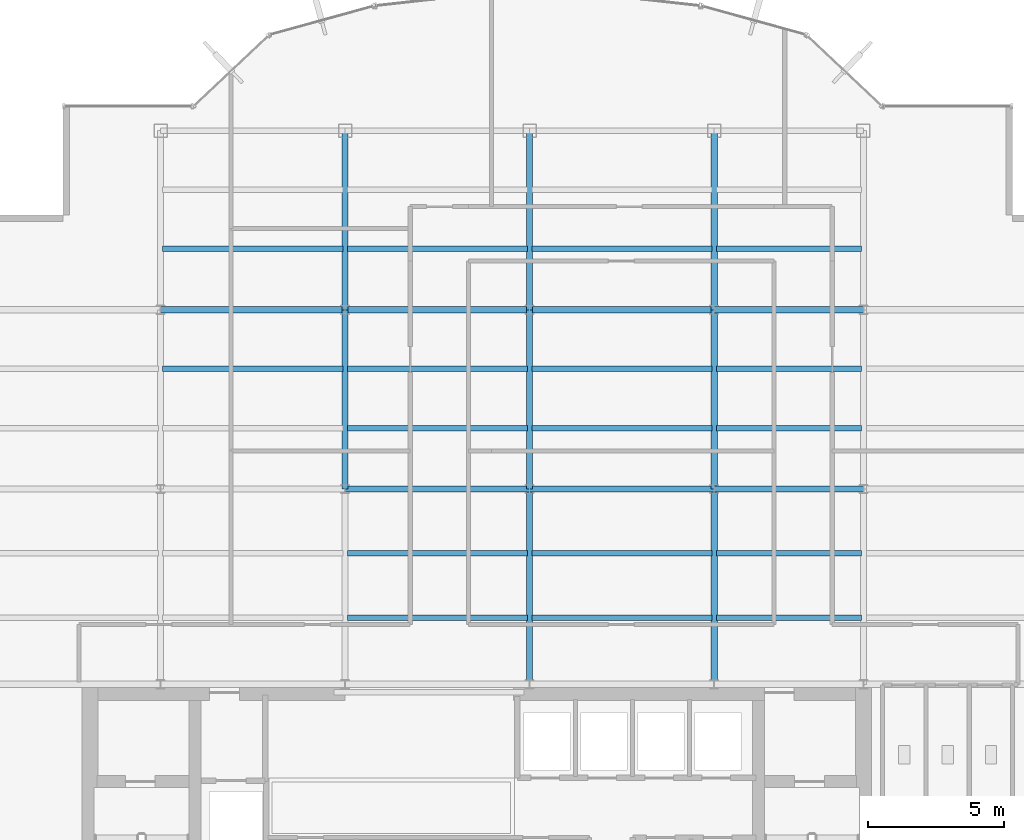
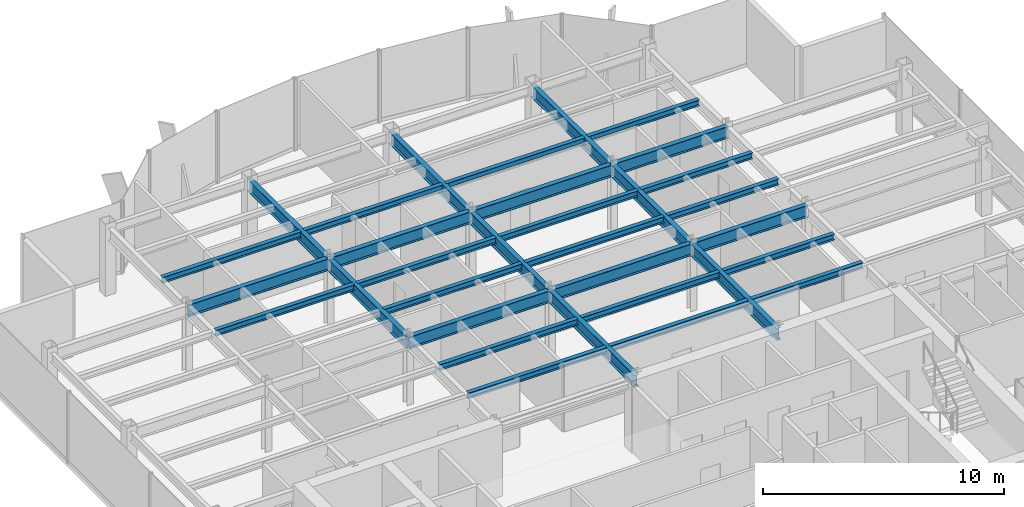
# One storey, part 8 of 22: 32 beams.
"""IFC4 building model written with IfcOpenShell, lengths in metres."""

from ifc_helpers import new_model, si_unit, derived_unit, direction, frame, origin, origin_2d, place, context, subcontext, project, spatial, i_section, extrude, source, transform, mapped, material, material_profile, profile_set, type_object, element, save


model = new_model("IFC4")

# Units and contexts
model_context = context("Model", 3, precision=1e-05, world=origin(), true_north=direction((0.0, 1.0)))
body_context = subcontext(model_context, "Body", "Model", "MODEL_VIEW")
ifc_project = project(units=[si_unit("LENGTHUNIT", "METRE"), si_unit("AREAUNIT", "SQUARE_METRE"), si_unit("VOLUMEUNIT", "CUBIC_METRE"), si_unit("PLANEANGLEUNIT", "RADIAN"), si_unit("MASSUNIT", "GRAM", prefix="KILO"), derived_unit("THERMALTRANSMITTANCEUNIT", [(si_unit("POWERUNIT", "WATT"), 1), (si_unit("LENGTHUNIT", "METRE"), -2), (si_unit("THERMODYNAMICTEMPERATUREUNIT", "KELVIN"), -1)])], contexts=[model_context])

# Site, building, storey
site_placement = place(None, origin())
site = spatial("IfcSite", under=ifc_project, at=site_placement, CompositionType="ELEMENT")
building_placement = place(site_placement, origin())
building = spatial("IfcBuilding", under=site, at=building_placement, Name="Skarnbrae Concourse Arena and Tower", CompositionType="ELEMENT")
storey_placement = place(building_placement, frame((0.0, 0.0, 269.75)))
storey = spatial("IfcBuildingStorey", under=building, at=storey_placement, Name="L70", CompositionType="ELEMENT", Elevation=269.75)

# Beams
ifc_material = material(Name="Steel CSA G40.21 350W", Category="steel")
ifc_material_profile_1 = material_profile(ifc_material, i_section(OverallWidth=0.22802734375, OverallDepth=0.60791015625, WebThickness=0.01123046875, FlangeThickness=0.017333984375, at=origin_2d()), Name="W610X113")
ifc_profile_set_1 = profile_set([ifc_material_profile_1], Name="Steel CSA G40.21 350W")
beam_type_1 = type_object("IfcBeamType", Name="BM-GIRD-W610X113", PredefinedType="BEAM", material=ifc_profile_set_1)
shared_shape_1 = source(origin(), body_context, "Body", "SweptSolid", [
    extrude(i_section(OverallWidth=0.22802734375, OverallDepth=0.60791015625, WebThickness=0.01123046875, FlangeThickness=0.017333984375, at=origin_2d()), origin(), (0.0, 0.0, 1.0), 6.60009765625),
])
for number, where, z_axis, x_axis, name in (
    (1, (14.39990234375, 21.199951171875, 3.095947265625), (0.0, 1.0, 0.0), (-1.0, 0.0, 0.0), "L70 Primary N-S girder X14.4-2"),
    (2, (21.199951171875, 21.199951171875, 3.095947265625), (0.0, 1.0, 0.0), (-1.0, 0.0, 0.0), "L70 Primary N-S girder X21.2-2"),
    (3, (28.0, 21.199951171875, 3.095947265625), (0.0, 1.0, 0.0), (-1.0, 0.0, 0.0), "L70 Primary N-S girder X28.0-2"),
):
    element("IfcBeam", number, at=place(storey_placement, frame(where, z_axis=z_axis, x_axis=x_axis)), inside=storey, type_object=beam_type_1, Name=name, PredefinedType="BEAM", context=body_context, shape_type="MappedRepresentation", body=[
        mapped(shared_shape_1, transform((0.0, 0.0, 0.0))),
    ])
shared_shape_2 = source(origin(), body_context, "Body", "SweptSolid", [
    extrude(i_section(OverallWidth=0.22802734375, OverallDepth=0.60791015625, WebThickness=0.01123046875, FlangeThickness=0.017333984375, at=origin_2d()), origin(), (0.0, 0.0, 1.0), 6.7998046875),
])
beam_placement = place(storey_placement, frame((7.60009765625, 27.800048828125, 3.095947265625), z_axis=(1.0, 0.0, 0.0), x_axis=(0.0, 1.0, 0.0)))
element("IfcBeam", 4, at=beam_placement, inside=storey, type_object=beam_type_1, Name="L70 Primary E-W girder Y27.8-2", PredefinedType="BEAM", context=body_context, shape_type="MappedRepresentation", body=[
    mapped(shared_shape_2, transform((0.0, 0.0, 0.0))),
])
shared_shape_3 = source(origin(), body_context, "Body", "SweptSolid", [
    extrude(i_section(OverallWidth=0.22802734375, OverallDepth=0.60791015625, WebThickness=0.01123046875, FlangeThickness=0.017333984375, at=origin_2d()), origin(), (0.0, 0.0, 1.0), 6.800048828125),
])
for number, where, z_axis, x_axis, name in (
    (5, (14.39990234375, 21.199951171875, 3.095947265625), (1.0, 0.0, 0.0), (0.0, 1.0, 0.0), "L70 Primary E-W girder Y21.2-3"),
    (6, (21.199951171875, 21.199951171875, 3.095947265625), (1.0, 0.0, 0.0), (0.0, 1.0, 0.0), "L70 Primary E-W girder Y21.2-4"),
    (7, (14.39990234375, 27.800048828125, 3.095947265625), (1.0, 0.0, 0.0), (0.0, 1.0, 0.0), "L70 Primary E-W girder Y27.8-3"),
    (8, (21.199951171875, 27.800048828125, 3.095947265625), (1.0, 0.0, 0.0), (0.0, 1.0, 0.0), "L70 Primary E-W girder Y27.8-4"),
):
    element("IfcBeam", number, at=place(storey_placement, frame(where, z_axis=z_axis, x_axis=x_axis)), inside=storey, type_object=beam_type_1, Name=name, PredefinedType="BEAM", context=body_context, shape_type="MappedRepresentation", body=[
        mapped(shared_shape_3, transform((0.0, 0.0, 0.0))),
    ])
shared_shape_4 = source(origin(), body_context, "Body", "SweptSolid", [
    extrude(i_section(OverallWidth=0.22802734375, OverallDepth=0.60791015625, WebThickness=0.01123046875, FlangeThickness=0.017333984375, at=origin_2d()), origin(), (0.0, 0.0, 1.0), 5.5),
])
for number, where, z_axis, x_axis, name in (
    (9, (28.0, 21.199951171875, 3.095947265625), (1.0, 0.0, 0.0), (0.0, 1.0, 0.0), "L70 Primary E-W girder Y21.2-5"),
    (10, (28.0, 27.800048828125, 3.095947265625), (1.0, 0.0, 0.0), (0.0, 1.0, 0.0), "L70 Primary E-W girder Y27.8-5"),
):
    element("IfcBeam", number, at=place(storey_placement, frame(where, z_axis=z_axis, x_axis=x_axis)), inside=storey, type_object=beam_type_1, Name=name, PredefinedType="BEAM", context=body_context, shape_type="MappedRepresentation", body=[
        mapped(shared_shape_4, transform((0.0, 0.0, 0.0))),
    ])
shared_shape_5 = source(origin(), body_context, "Body", "SweptSolid", [
    extrude(i_section(OverallWidth=0.22802734375, OverallDepth=0.60791015625, WebThickness=0.01123046875, FlangeThickness=0.017333984375, at=origin_2d()), origin(), (0.0, 0.0, 1.0), 7.199951171875),
])
for number, where, z_axis, x_axis, name in (
    (11, (21.199951171875, 14.0, 3.095947265625), (0.0, 1.0, 0.0), (-1.0, 0.0, 0.0), "L70 Primary N-S girder X21.2-1"),
    (12, (28.0, 14.0, 3.095947265625), (0.0, 1.0, 0.0), (-1.0, 0.0, 0.0), "L70 Primary N-S girder X28.0-1"),
):
    element("IfcBeam", number, at=place(storey_placement, frame(where, z_axis=z_axis, x_axis=x_axis)), inside=storey, type_object=beam_type_1, Name=name, PredefinedType="BEAM", context=body_context, shape_type="MappedRepresentation", body=[
        mapped(shared_shape_5, transform((0.0, 0.0, 0.0))),
    ])
shared_shape_6 = source(origin(), body_context, "Body", "SweptSolid", [
    extrude(i_section(OverallWidth=0.22802734375, OverallDepth=0.60791015625, WebThickness=0.01123046875, FlangeThickness=0.017333984375, at=origin_2d()), origin(), (0.0, 0.0, 1.0), 6.599853515625),
])
for number, where, z_axis, x_axis, name in (
    (13, (14.39990234375, 27.800048828125, 3.095947265625), (0.0, 1.0, 0.0), (-1.0, 0.0, 0.0), "L70 Primary N-S girder X14.4-3"),
    (14, (21.199951171875, 27.800048828125, 3.095947265625), (0.0, 1.0, 0.0), (-1.0, 0.0, 0.0), "L70 Primary N-S girder X21.2-3"),
    (15, (28.0, 27.800048828125, 3.095947265625), (0.0, 1.0, 0.0), (-1.0, 0.0, 0.0), "L70 Primary N-S girder X28.0-3"),
):
    element("IfcBeam", number, at=place(storey_placement, frame(where, z_axis=z_axis, x_axis=x_axis)), inside=storey, type_object=beam_type_1, Name=name, PredefinedType="BEAM", context=body_context, shape_type="MappedRepresentation", body=[
        mapped(shared_shape_6, transform((0.0, 0.0, 0.0))),
    ])
ifc_material_profile_2 = material_profile(ifc_material, i_section(OverallWidth=0.202880859375, OverallDepth=0.302978515625, WebThickness=0.007568359375, FlangeThickness=0.01318359375, at=origin_2d()), Name="W310X60")
ifc_profile_set_2 = profile_set([ifc_material_profile_2], Name="Steel CSA G40.21 350W")
beam_type_2 = type_object("IfcBeamType", Name="BM-JOIST-W310X60", PredefinedType="JOIST", material=ifc_profile_set_2)
shared_shape_7 = source(origin(), body_context, "Body", "SweptSolid", [
    extrude(i_section(OverallWidth=0.202880859375, OverallDepth=0.302978515625, WebThickness=0.007568359375, FlangeThickness=0.01318359375, at=origin_2d()), origin(), (0.0, 0.0, 1.0), 6.64013671875),
])
for number, where, z_axis, x_axis, name in (
    (16, (14.47998046875, 16.447998046875, 3.24853515625), (1.0, 0.0, 0.0), (0.0, 1.0, 0.0), "L70 Secondary floor joist 1.1.3"),
    (17, (14.47998046875, 18.823974609375, 3.24853515625), (1.0, 0.0, 0.0), (0.0, 1.0, 0.0), "L70 Secondary floor joist 1.2.3"),
    (18, (14.47998046875, 23.444091796875, 3.24853515625), (1.0, 0.0, 0.0), (0.0, 1.0, 0.0), "L70 Secondary floor joist 2.1.3"),
    (19, (7.679931640625, 25.6220703125, 3.24853515625), (1.0, 0.0, 0.0), (0.0, 1.0, 0.0), "L70 Secondary floor joist 2.2.2"),
    (20, (14.47998046875, 25.6220703125, 3.24853515625), (1.0, 0.0, 0.0), (0.0, 1.0, 0.0), "L70 Secondary floor joist 2.2.3"),
    (21, (7.679931640625, 30.0439453125, 3.24853515625), (1.0, 0.0, 0.0), (0.0, 1.0, 0.0), "L70 Secondary floor joist 3.1.1"),
    (22, (14.47998046875, 30.0439453125, 3.24853515625), (1.0, 0.0, 0.0), (0.0, 1.0, 0.0), "L70 Secondary floor joist 3.1.2"),
):
    element("IfcBeam", number, at=place(storey_placement, frame(where, z_axis=z_axis, x_axis=x_axis)), inside=storey, type_object=beam_type_2, Name=name, PredefinedType="JOIST", context=body_context, shape_type="MappedRepresentation", body=[
        mapped(shared_shape_7, transform((0.0, 0.0, 0.0))),
    ])
shared_shape_8 = source(origin(), body_context, "Body", "SweptSolid", [
    extrude(i_section(OverallWidth=0.202880859375, OverallDepth=0.302978515625, WebThickness=0.007568359375, FlangeThickness=0.01318359375, at=origin_2d()), origin(), (0.0, 0.0, 1.0), 6.639892578125),
])
for number, where, z_axis, x_axis, name in (
    (23, (21.280029296875, 16.447998046875, 3.24853515625), (1.0, 0.0, 0.0), (0.0, 1.0, 0.0), "L70 Secondary floor joist 1.1.4"),
    (24, (21.280029296875, 18.823974609375, 3.24853515625), (1.0, 0.0, 0.0), (0.0, 1.0, 0.0), "L70 Secondary floor joist 1.2.4"),
    (25, (21.280029296875, 23.444091796875, 3.24853515625), (1.0, 0.0, 0.0), (0.0, 1.0, 0.0), "L70 Secondary floor joist 2.1.4"),
    (26, (21.280029296875, 25.6220703125, 3.24853515625), (1.0, 0.0, 0.0), (0.0, 1.0, 0.0), "L70 Secondary floor joist 2.2.4"),
    (27, (21.280029296875, 30.0439453125, 3.24853515625), (1.0, 0.0, 0.0), (0.0, 1.0, 0.0), "L70 Secondary floor joist 3.1.3"),
):
    element("IfcBeam", number, at=place(storey_placement, frame(where, z_axis=z_axis, x_axis=x_axis)), inside=storey, type_object=beam_type_2, Name=name, PredefinedType="JOIST", context=body_context, shape_type="MappedRepresentation", body=[
        mapped(shared_shape_8, transform((0.0, 0.0, 0.0))),
    ])
shared_shape_9 = source(origin(), body_context, "Body", "SweptSolid", [
    extrude(i_section(OverallWidth=0.202880859375, OverallDepth=0.302978515625, WebThickness=0.007568359375, FlangeThickness=0.01318359375, at=origin_2d()), origin(), (0.0, 0.0, 1.0), 5.33984375),
])
for number, where, z_axis, x_axis, name in (
    (28, (28.080078125, 16.447998046875, 3.24853515625), (1.0, 0.0, 0.0), (0.0, 1.0, 0.0), "L70 Secondary floor joist 1.1.5"),
    (29, (28.080078125, 18.823974609375, 3.24853515625), (1.0, 0.0, 0.0), (0.0, 1.0, 0.0), "L70 Secondary floor joist 1.2.5"),
    (30, (28.080078125, 23.444091796875, 3.24853515625), (1.0, 0.0, 0.0), (0.0, 1.0, 0.0), "L70 Secondary floor joist 2.1.5"),
    (31, (28.080078125, 25.6220703125, 3.24853515625), (1.0, 0.0, 0.0), (0.0, 1.0, 0.0), "L70 Secondary floor joist 2.2.5"),
    (32, (28.080078125, 30.0439453125, 3.24853515625), (1.0, 0.0, 0.0), (0.0, 1.0, 0.0), "L70 Secondary floor joist 3.1.4"),
):
    element("IfcBeam", number, at=place(storey_placement, frame(where, z_axis=z_axis, x_axis=x_axis)), inside=storey, type_object=beam_type_2, Name=name, PredefinedType="JOIST", context=body_context, shape_type="MappedRepresentation", body=[
        mapped(shared_shape_9, transform((0.0, 0.0, 0.0))),
    ])

save(model, "model.ifc")
